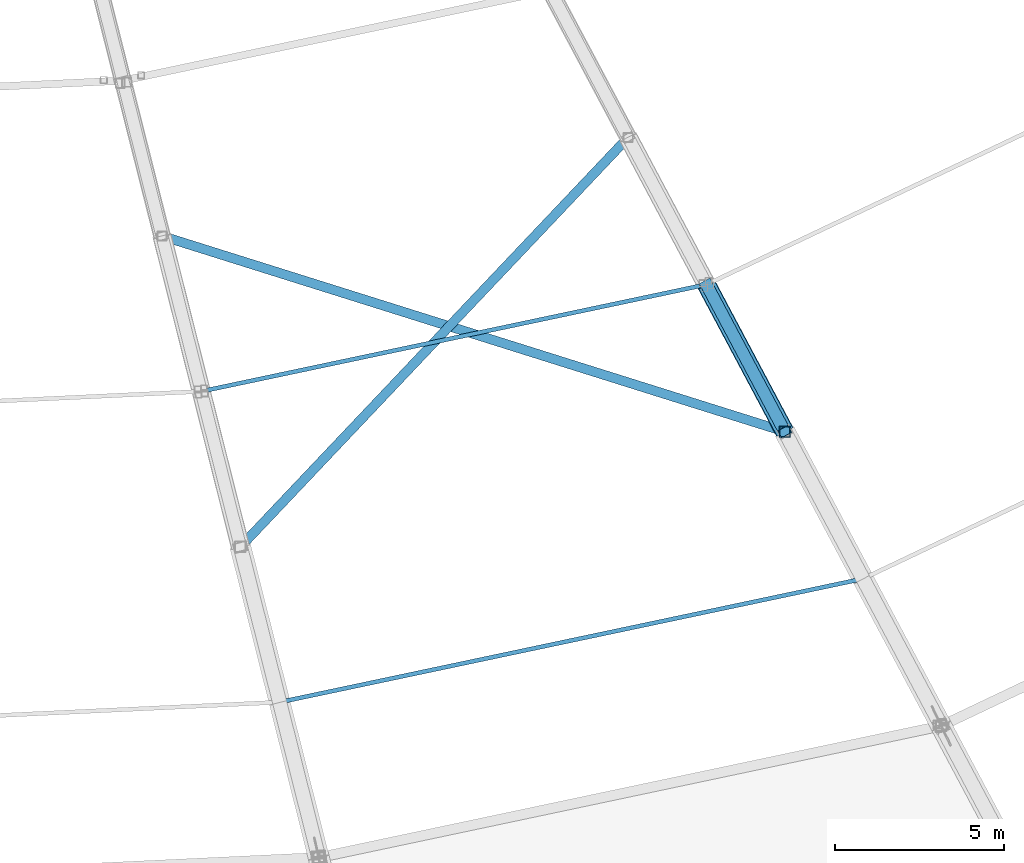
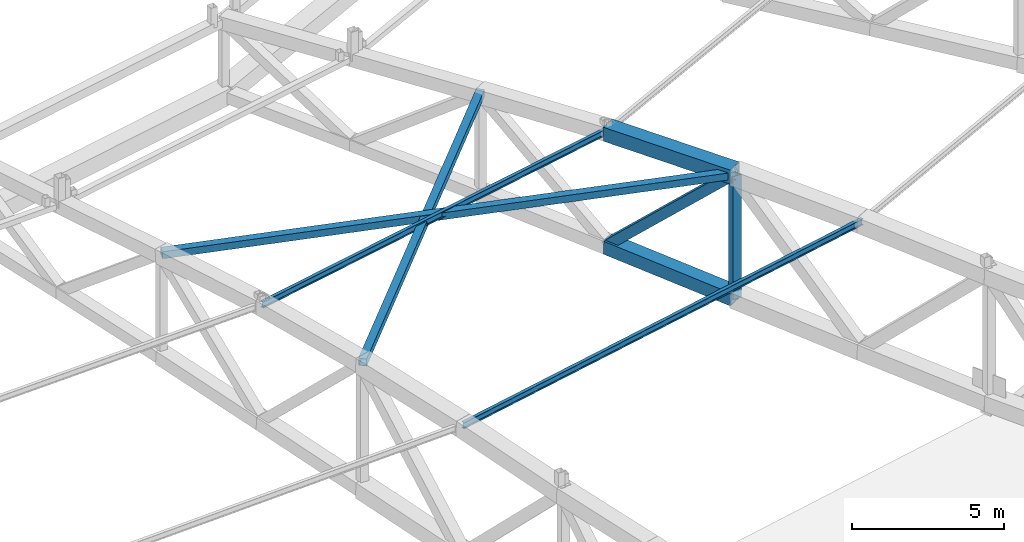
# One storey, part 32 of 162: 8 members.
"""IFC4 building model written with IfcOpenShell, lengths in metres."""

from ifc_helpers import new_model, si_unit, direction, frame, origin, origin_2d, place, context, subcontext, project, spatial, hollow_rectangle, i_section, extrude, material, material_profile, profile_set, type_object, element, save


model = new_model("IFC4")

# Units and contexts
model_context = context("Model", 3, precision=1e-05, world=origin(), true_north=direction((0.0, 1.0)))
body_context = subcontext(model_context, "Body", "Model", "MODEL_VIEW")
ifc_project = project(units=[si_unit("LENGTHUNIT", "METRE"), si_unit("AREAUNIT", "SQUARE_METRE"), si_unit("VOLUMEUNIT", "CUBIC_METRE"), si_unit("PLANEANGLEUNIT", "RADIAN"), si_unit("MASSUNIT", "GRAM", prefix="KILO")], contexts=[model_context])

# Site, building, storey
site_placement = place(None, origin())
site = spatial("IfcSite", under=ifc_project, at=site_placement, CompositionType="ELEMENT")
building_placement = place(site_placement, origin())
building = spatial("IfcBuilding", under=site, at=building_placement, Name="Kazemori Nagisa Stadium", CompositionType="ELEMENT")
storey_placement = place(building_placement, frame((0.0, 0.0, 36.719970703125)))
storey = spatial("IfcBuildingStorey", under=building, at=storey_placement, Name="RF", CompositionType="ELEMENT", Elevation=36.719970703125)

# Members
ifc_material_1 = material(Name="Steel STKR490", Category="steel")
ifc_material_profile_1 = material_profile(ifc_material_1, hollow_rectangle(XDim=0.280029296875, YDim=0.280029296875, WallThickness=0.010009765625, at=origin_2d()), Name="SHS-280x280x10")
ifc_profile_set_1 = profile_set([ifc_material_profile_1], Name="Steel STKR490")
member_type_1 = type_object("IfcMemberType", Name="Member_TB-SHS280", PredefinedType="BRACE", material=ifc_profile_set_1)
member_1_placement = place(storey_placement, frame((139.113525390625, 38.08984375, 6.008056640625), z_axis=(0.687329012623, 0.725644198468, -0.031926879525), x_axis=(-0.726014315312, 0.687679586699, 0.0)))
element("IfcMember", 1, at=member_1_placement, inside=storey, type_object=member_type_1, Name="Roof space truss plan brace B23-1", PredefinedType="BRACE", context=body_context, shape_type="SweptSolid", body=[
    extrude(hollow_rectangle(XDim=0.280029296875, YDim=0.280029296875, WallThickness=0.010009765625, at=origin_2d()), origin(), (0.0, 0.0, 1.0), 16.66259765625),
])
member_2_placement = place(storey_placement, frame((155.189208984375, 41.490966796875, 5.89111328125), z_axis=(-0.953933195971, 0.299699025326, -0.013854668654), x_axis=(-0.299727793357, -0.954024763771, 0.0)))
element("IfcMember", 2, at=member_2_placement, inside=storey, type_object=member_type_1, Name="Roof space truss plan brace B23-2", PredefinedType="BRACE", context=body_context, shape_type="SweptSolid", body=[
    extrude(hollow_rectangle(XDim=0.280029296875, YDim=0.280029296875, WallThickness=0.010009765625, at=origin_2d()), origin(), (0.0, 0.0, 1.0), 19.278076171875),
])
ifc_material_profile_2 = material_profile(ifc_material_1, hollow_rectangle(XDim=0.360107421875, YDim=0.360107421875, WallThickness=0.013916015625, at=origin_2d()), Name="SHS-360x360x14")
ifc_profile_set_2 = profile_set([ifc_material_profile_2], Name="Steel STKR490")
member_type_2 = type_object("IfcMemberType", Name="Member_TB-SHS360", PredefinedType="BRACE", material=ifc_profile_set_2)
member_3_placement = place(storey_placement, frame((155.189208984375, 41.490966796875, 5.89111328125), z_axis=(-0.341008075506, 0.640992893936, -0.687634788505), x_axis=(-0.88284131776, -0.469671382624, 0.0)))
element("IfcMember", 3, at=member_3_placement, inside=storey, type_object=member_type_2, Name="Roof space truss diagonal RT-24-6", PredefinedType="BRACE", context=body_context, shape_type="SweptSolid", body=[
    extrude(hollow_rectangle(XDim=0.360107421875, YDim=0.360107421875, WallThickness=0.013916015625, at=origin_2d()), origin(), (0.0, 0.0, 1.0), 6.778564453125),
])
ifc_material_profile_3 = material_profile(ifc_material_1, hollow_rectangle(XDim=0.52001953125, YDim=0.52001953125, WallThickness=0.01904296875, at=origin_2d()), Name="SHS-520x520x19")
ifc_profile_set_3 = profile_set([ifc_material_profile_3], Name="Steel STKR490")
member_type_3 = type_object("IfcMemberType", Name="Member_TC-SHS520", PredefinedType="CHORD", material=ifc_profile_set_3)
member_4_placement = place(storey_placement, frame((155.189208984375, 41.490966796875, 0.97314453125), z_axis=(-0.469033146565, 0.881641625414, 0.052114794063), x_axis=(-0.88284131776, -0.469671382624, 0.0)))
element("IfcMember", 4, at=member_4_placement, inside=storey, type_object=member_type_3, Name="Roof space truss bottom chord RT-24-6", PredefinedType="CHORD", context=body_context, shape_type="SweptSolid", body=[
    extrude(hollow_rectangle(XDim=0.52001953125, YDim=0.52001953125, WallThickness=0.01904296875, at=origin_2d()), origin(), (0.0, 0.0, 1.0), 4.92822265625),
])
ifc_material_profile_4 = material_profile(ifc_material_1, hollow_rectangle(XDim=0.56005859375, YDim=0.56005859375, WallThickness=0.02001953125, at=origin_2d()), Name="SHS-560x560x20")
ifc_profile_set_4 = profile_set([ifc_material_profile_4], Name="Steel STKR490")
member_type_4 = type_object("IfcMemberType", Name="Member_TC-SHS560", PredefinedType="CHORD", material=ifc_profile_set_4)
member_5_placement = place(storey_placement, frame((155.189208984375, 41.490966796875, 5.89111328125), z_axis=(-0.469572368047, 0.882655200057, -0.020532632063), x_axis=(-0.88284131776, -0.469671382624, 0.0)))
element("IfcMember", 5, at=member_5_placement, inside=storey, type_object=member_type_4, Name="Roof space truss top chord RT-24-6", PredefinedType="CHORD", context=body_context, shape_type="SweptSolid", body=[
    extrude(hollow_rectangle(XDim=0.56005859375, YDim=0.56005859375, WallThickness=0.02001953125, at=origin_2d()), origin(), (0.0, 0.0, 1.0), 4.922607421875),
])
ifc_material_2 = material(Name="Steel SN490B", Category="steel")
ifc_material_profile_5 = material_profile(ifc_material_2, i_section(OverallWidth=0.125, OverallDepth=0.25, WebThickness=0.006103515625, FlangeThickness=0.009033203125, FilletRadius=0.008056640625, at=origin_2d()), Name="H-250x125x6x9")
ifc_profile_set_5 = profile_set([ifc_material_profile_5], Name="Steel SN490B")
member_type_5 = type_object("IfcMemberType", Name="Member_TP-H250", PredefinedType="PURLIN", material=ifc_profile_set_5)
member_6_placement = place(storey_placement, frame((140.270751953125, 33.500732421875, 5.863037109375), z_axis=(0.978340368603, 0.206971812212, -0.003576605998), x_axis=(-0.206973136028, 0.978346626183, 0.0)))
element("IfcMember", 6, at=member_6_placement, inside=storey, type_object=member_type_5, Name="Roof purlin TP-H250 B23-P4", PredefinedType="PURLIN", context=body_context, shape_type="SweptSolid", body=[
    extrude(i_section(OverallWidth=0.125, OverallDepth=0.25, WebThickness=0.006103515625, FlangeThickness=0.009033203125, FilletRadius=0.008056640625, at=origin_2d()), origin(), (0.0, 0.0, 1.0), 17.611083984375),
])
member_7_placement = place(storey_placement, frame((137.95654296875, 42.67919921875, 5.944091796875), z_axis=(0.978295247296, 0.206969542804, -0.0101003698), x_axis=(-0.206980100866, 0.978345152717, 0.0)))
element("IfcMember", 7, at=member_7_placement, inside=storey, type_object=member_type_5, Name="Roof purlin TP-H250 B23-P6", PredefinedType="PURLIN", context=body_context, shape_type="SweptSolid", body=[
    extrude(i_section(OverallWidth=0.125, OverallDepth=0.25, WebThickness=0.006103515625, FlangeThickness=0.009033203125, FilletRadius=0.008056640625, at=origin_2d()), origin(), (0.0, 0.0, 1.0), 15.252197265625),
])
ifc_material_profile_6 = material_profile(ifc_material_1, hollow_rectangle(XDim=0.320068359375, YDim=0.320068359375, WallThickness=0.011962890625, at=origin_2d()), Name="SHS-320x320x12")
ifc_profile_set_6 = profile_set([ifc_material_profile_6], Name="Steel STKR490")
member_type_6 = type_object("IfcMemberType", Name="Member_TS-SHS320", PredefinedType="STRUT", material=ifc_profile_set_6)
member_8_placement = place(storey_placement, frame((155.189208984375, 41.490966796875, 0.97314453125), z_axis=(0.0, 0.0, 1.0), x_axis=(1.0, 0.0, 0.0)))
element("IfcMember", 8, at=member_8_placement, inside=storey, type_object=member_type_6, Name="Roof space truss strut RT-24-6", PredefinedType="STRUT", context=body_context, shape_type="SweptSolid", body=[
    extrude(hollow_rectangle(XDim=0.320068359375, YDim=0.320068359375, WallThickness=0.011962890625, at=origin_2d()), origin(), (0.0, 0.0, 1.0), 4.91796875),
])

save(model, "model.ifc")
